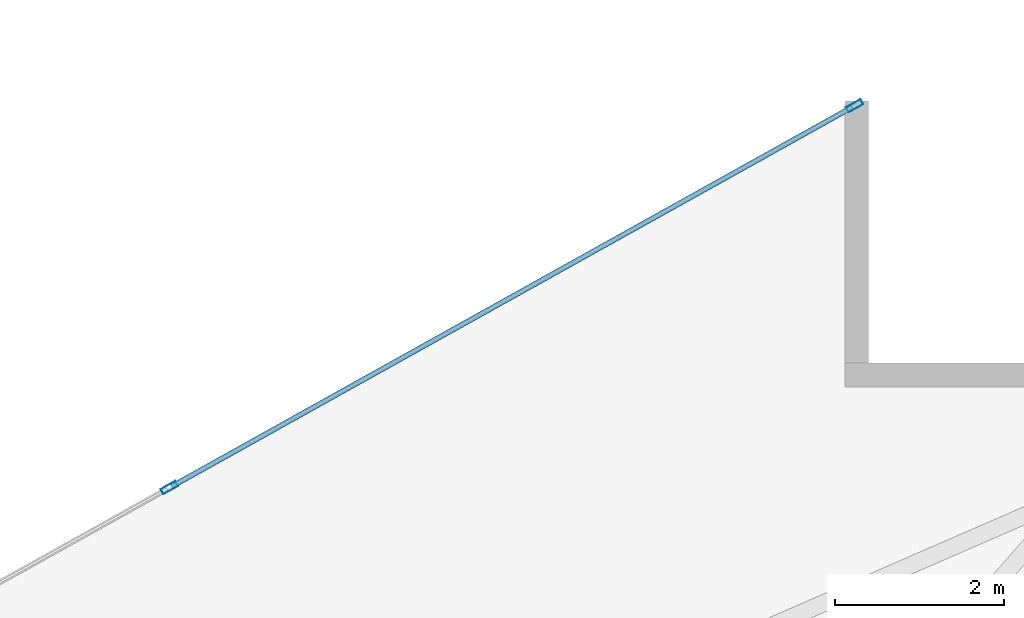
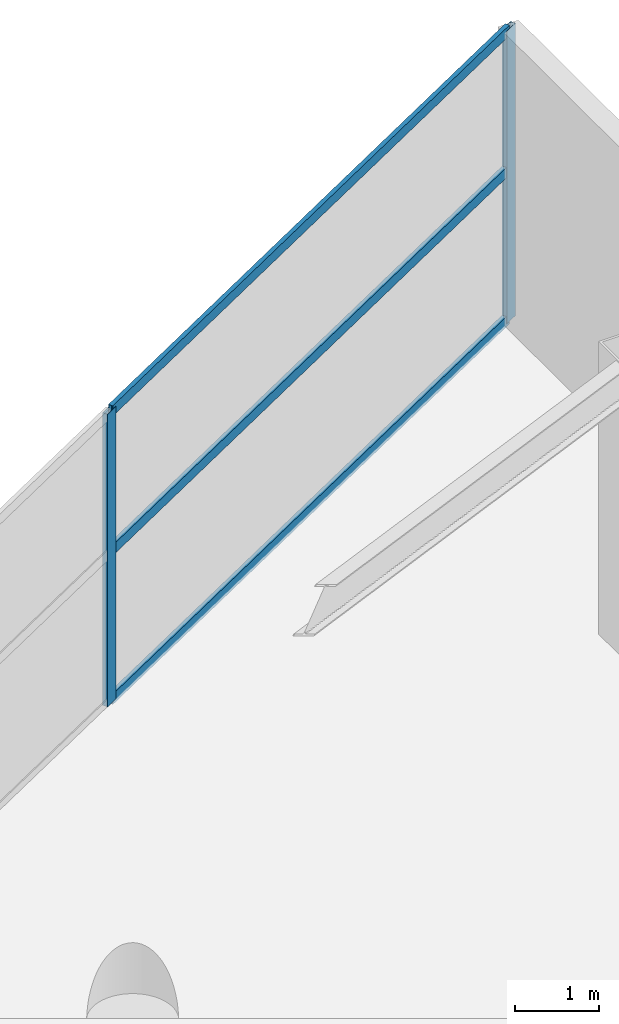
# One storey, part 19 of 26: 5 members, 1 element without a shape of its own.
"""IFC4 building model written with IfcOpenShell, lengths in metres."""

from ifc_helpers import new_model, si_unit, direction, frame, origin, origin_2d, place, context, subcontext, project, spatial, hollow_rectangle, extrude, material, layer, layer_set, material_profile, profile_set, type_object, element, aggregate, save


model = new_model("IFC4")

# Units and contexts
model_context = context("Model", 3, precision=1e-05, world=origin(), true_north=direction((0.0, 1.0)))
body_context = subcontext(model_context, "Body", "Model", "MODEL_VIEW")
ifc_project = project(units=[si_unit("LENGTHUNIT", "METRE"), si_unit("AREAUNIT", "SQUARE_METRE"), si_unit("VOLUMEUNIT", "CUBIC_METRE"), si_unit("PLANEANGLEUNIT", "RADIAN"), si_unit("MASSUNIT", "GRAM", prefix="KILO")], contexts=[model_context])

# Site, building, storey
site_placement = place(None, origin())
site = spatial("IfcSite", under=ifc_project, at=site_placement, CompositionType="ELEMENT")
building_placement = place(site_placement, origin())
building = spatial("IfcBuilding", under=site, at=building_placement, Name="Calvorn Quay Hotel", CompositionType="ELEMENT")
storey_placement = place(building_placement, frame((0.0, 0.0, 144.0)))
storey = spatial("IfcBuildingStorey", under=building, at=storey_placement, Name="L35", CompositionType="ELEMENT", Elevation=144.0)

# Curtain wall, members
ifc_material_1 = material(Name="Pale Anodised Aluminium and Low-E Glass", Category="aluminium")
ifc_layer = layer(ifc_material_1, 0.219970703125)
ifc_layer_set = layer_set([ifc_layer], Name="CW-SYS-Z2")
curtain_wall_type = type_object("IfcCurtainWallType", Name="CW-SYS-Z2", PredefinedType="NOTDEFINED", material=ifc_layer_set)
curtain_wall_placement = place(storey_placement, origin())
curtain_wall = element("IfcCurtainWall", 1, at=curtain_wall_placement, inside=storey, type_object=curtain_wall_type, Name="Inner Court Curtain Wall L35-NE1", PredefinedType="NOTDEFINED")
ifc_material_2 = material(Name="Pale Anodised Aluminium 6063-T6", Category="aluminium")
ifc_material_profile_1 = material_profile(ifc_material_2, hollow_rectangle(XDim=0.070068359375, YDim=0.199951171875, WallThickness=0.00390625, at=origin_2d()), Name="ALU-M200x70x4")
ifc_profile_set_1 = profile_set([ifc_material_profile_1], Name="Pale Anodised Aluminium 6063-T6")
member_type_1 = type_object("IfcMemberType", Name="CW-SYS-Z2-MUL", PredefinedType="MULLION", material=ifc_profile_set_1)
member_1_placement = place(storey_placement, frame((45.973876953125, 37.9853515625, 0.0), z_axis=(0.0, 0.0, 1.0), x_axis=(0.486858256224, -0.873480989116, 0.0)))
member_1 = element("IfcMember", 2, at=member_1_placement, type_object=member_type_1, Name="CW-L35-NE1 mullion 1", PredefinedType="MULLION", context=body_context, shape_type="SweptSolid", body=[
    extrude(hollow_rectangle(XDim=0.070068359375, YDim=0.199951171875, WallThickness=0.00390625, at=origin_2d()), origin(), (0.0, 0.0, 1.0), 4.260009765625),
])
member_2_placement = place(storey_placement, frame((37.86669921875, 33.466552734375, 0.0), z_axis=(0.0, 0.0, 1.0), x_axis=(0.486858256224, -0.873480989116, 0.0)))
member_2 = element("IfcMember", 3, at=member_2_placement, type_object=member_type_1, Name="CW-L35-NE1 mullion 2", PredefinedType="MULLION", context=body_context, shape_type="SweptSolid", body=[
    extrude(hollow_rectangle(XDim=0.070068359375, YDim=0.199951171875, WallThickness=0.00390625, at=origin_2d()), origin(), (0.0, 0.0, 1.0), 4.260009765625),
])
ifc_material_3 = material(Name="Pale Anodised Aluminium 6063-T6", Category="aluminium")
ifc_material_profile_2 = material_profile(ifc_material_3, hollow_rectangle(XDim=0.06005859375, YDim=0.14990234375, WallThickness=0.00341796875, at=origin_2d()), Name="ALU-T150x60x3.5")
ifc_profile_set_2 = profile_set([ifc_material_profile_2], Name="Pale Anodised Aluminium 6063-T6")
member_type_2 = type_object("IfcMemberType", Name="CW-SYS-Z2-TRN", PredefinedType="USERDEFINED", material=ifc_profile_set_2)
member_3_placement = place(storey_placement, frame((45.947509765625, 37.970703125, 0.030029296875), z_axis=(-0.87348080454, -0.486858587375, 0.0), x_axis=(0.486858587375, -0.87348080454, 0.0)))
member_3 = element("IfcMember", 4, at=member_3_placement, type_object=member_type_2, Name="CW-L35-NE1 transom 1.1", ObjectType="TRANSOM", PredefinedType="USERDEFINED", context=body_context, shape_type="SweptSolid", body=[
    extrude(hollow_rectangle(XDim=0.06005859375, YDim=0.14990234375, WallThickness=0.00341796875, at=origin_2d()), origin(), (0.0, 0.0, 1.0), 9.221435546875),
])
member_4_placement = place(storey_placement, frame((45.947509765625, 37.970703125, 2.199951171875), z_axis=(-0.87348080454, -0.486858587375, 0.0), x_axis=(0.486858587375, -0.87348080454, 0.0)))
member_4 = element("IfcMember", 5, at=member_4_placement, type_object=member_type_2, Name="CW-L35-NE1 transom 1.2", ObjectType="TRANSOM", PredefinedType="USERDEFINED", context=body_context, shape_type="SweptSolid", body=[
    extrude(hollow_rectangle(XDim=0.06005859375, YDim=0.14990234375, WallThickness=0.00341796875, at=origin_2d()), origin(), (0.0, 0.0, 1.0), 9.221435546875),
])
member_5_placement = place(storey_placement, frame((45.947509765625, 37.970703125, 4.22998046875), z_axis=(-0.87348080454, -0.486858587375, 0.0), x_axis=(0.486858587375, -0.87348080454, 0.0)))
member_5 = element("IfcMember", 6, at=member_5_placement, type_object=member_type_2, Name="CW-L35-NE1 transom 1.3", ObjectType="TRANSOM", PredefinedType="USERDEFINED", context=body_context, shape_type="SweptSolid", body=[
    extrude(hollow_rectangle(XDim=0.06005859375, YDim=0.14990234375, WallThickness=0.00341796875, at=origin_2d()), origin(), (0.0, 0.0, 1.0), 9.221435546875),
])
aggregate(curtain_wall, [member_1, member_2, member_3, member_4, member_5])

save(model, "model.ifc")
